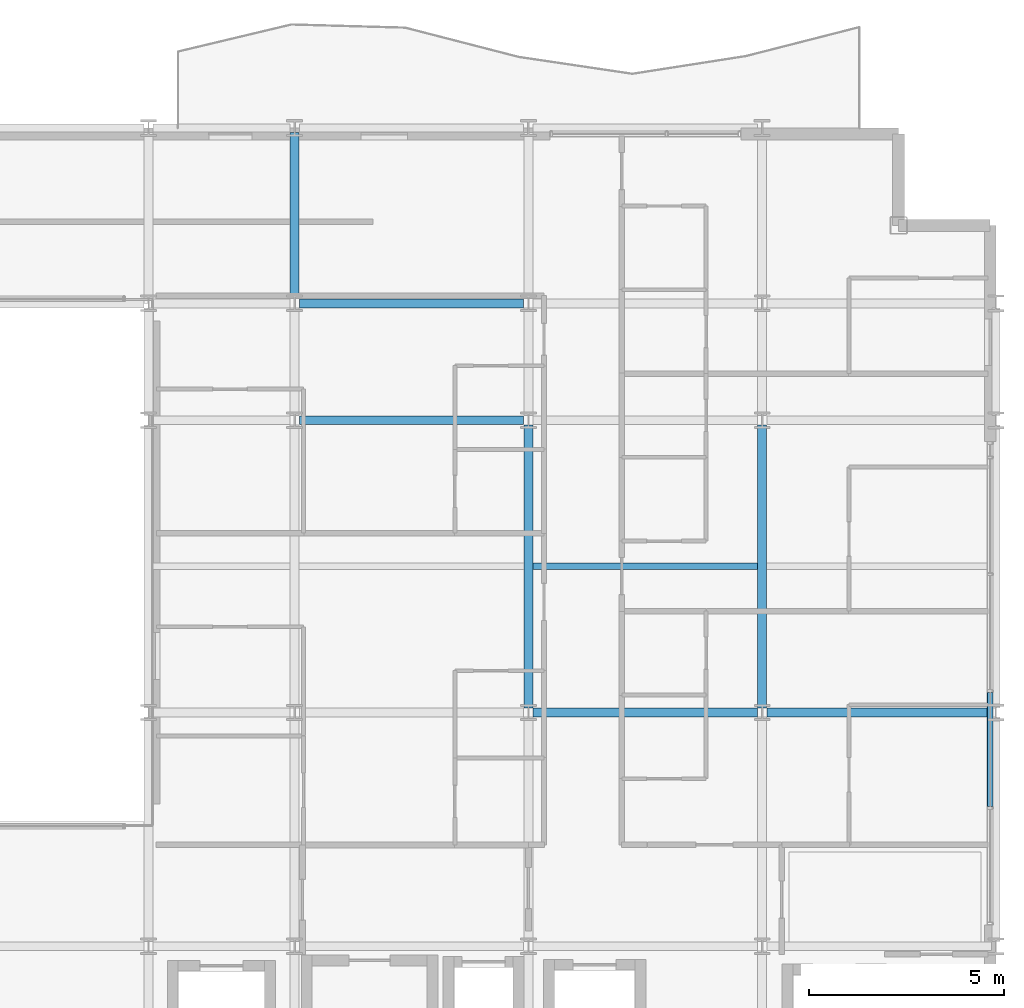
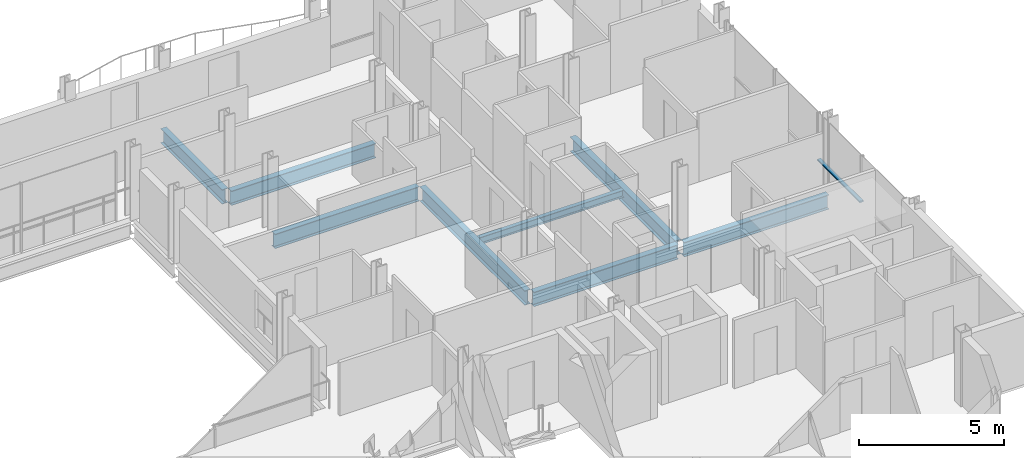
# One storey, part 18 of 40: 8 beams, 1 member, 1 element without a shape of its own.
"""IFC4 building model written with IfcOpenShell, lengths in metres."""

from ifc_helpers import new_model, si_unit, direction, frame, origin, origin_2d, place, context, subcontext, project, spatial, hollow_rectangle, i_section, extrude, material, layer, layer_set, material_profile, profile_set, type_object, element, aggregate, save


model = new_model("IFC4")

# Units and contexts
model_context = context("Model", 3, precision=1e-05, world=origin(), true_north=direction((0.0, 1.0)))
body_context = subcontext(model_context, "Body", "Model", "MODEL_VIEW")
ifc_project = project(units=[si_unit("LENGTHUNIT", "METRE"), si_unit("AREAUNIT", "SQUARE_METRE"), si_unit("VOLUMEUNIT", "CUBIC_METRE"), si_unit("PLANEANGLEUNIT", "RADIAN"), si_unit("MASSUNIT", "GRAM", prefix="KILO")], contexts=[model_context])

# Site, building, storey
site_placement = place(None, origin())
site = spatial("IfcSite", under=ifc_project, at=site_placement, CompositionType="ELEMENT")
building_placement = place(site_placement, origin())
building = spatial("IfcBuilding", under=site, at=building_placement, Name="Brevholm Reach", CompositionType="ELEMENT")
storey_placement = place(building_placement, frame((0.0, 0.0, 119.0)))
storey = spatial("IfcBuildingStorey", under=building, at=storey_placement, Name="L35", CompositionType="ELEMENT", Elevation=119.0)

# Beams
ifc_material_1 = material(Name="Structural Steel S355J2", Category="steel")
ifc_material_profile_1 = material_profile(ifc_material_1, i_section(OverallWidth=0.1650390625, OverallDepth=0.303466796875, WebThickness=0.006103515625, FlangeThickness=0.01025390625, FilletRadius=0.0087890625, at=origin_2d()), Name="UKB 305x165x40")
ifc_profile_set_1 = profile_set([ifc_material_profile_1], Name="Structural Steel S355J2")
beam_type_1 = type_object("IfcBeamType", Name="BM-B305", PredefinedType="BEAM", material=ifc_profile_set_1)
beam_1_placement = place(storey_placement, frame((48.114501953125, 19.75, -0.37158203125), z_axis=(1.0, 0.0, 0.0), x_axis=(0.0, 1.0, 0.0)))
element("IfcBeam", 1, at=beam_1_placement, inside=storey, type_object=beam_type_1, Name="L35 Composite Secondary Floor Beam", PredefinedType="BEAM", context=body_context, shape_type="SweptSolid", body=[
    extrude(i_section(OverallWidth=0.1650390625, OverallDepth=0.303466796875, WebThickness=0.006103515625, FlangeThickness=0.01025390625, FilletRadius=0.0087890625, at=origin_2d()), origin(), (0.0, 0.0, 1.0), 5.77099609375),
])
ifc_material_2 = material(Name="Structural Steel S355J2", Category="steel")
ifc_material_profile_2 = material_profile(ifc_material_2, i_section(OverallWidth=0.22900390625, OverallDepth=0.6123046875, WebThickness=0.011962890625, FlangeThickness=0.01953125, FilletRadius=0.0126953125, at=origin_2d()), Name="UKB 610x229x125")
ifc_profile_set_2 = profile_set([ifc_material_profile_2], Name="Structural Steel S355J2")
beam_type_2 = type_object("IfcBeamType", Name="BM-SP610", PredefinedType="SPANDREL", material=ifc_profile_set_2)
for number, where, z_axis, x_axis, name in (
    (2, (48.1201171875, 16.0, -0.526123046875), (1.0, 0.0, 0.0), (0.0, 1.0, 0.0), "L35 SP-01 Framing Beam"),
    (3, (54.1201171875, 16.0, -0.526123046875), (1.0, 0.0, 0.0), (0.0, 1.0, 0.0), "L35 SP-01 Framing Beam"),
    (4, (42.1201171875, 23.5, -0.526123046875), (1.0, 0.0, 0.0), (0.0, 1.0, 0.0), "L35 SP-01 Framing Beam"),
    (5, (42.1201171875, 26.5, -0.526123046875), (1.0, 0.0, 0.0), (0.0, 1.0, 0.0), "L35 SP-01 Framing Beam"),
):
    element("IfcBeam", number, at=place(storey_placement, frame(where, z_axis=z_axis, x_axis=x_axis)), inside=storey, type_object=beam_type_2, Name=name, PredefinedType="SPANDREL", context=body_context, shape_type="SweptSolid", body=[
        extrude(i_section(OverallWidth=0.22900390625, OverallDepth=0.6123046875, WebThickness=0.011962890625, FlangeThickness=0.01953125, FilletRadius=0.0126953125, at=origin_2d()), origin(), (0.0, 0.0, 1.0), 5.759765625),
    ])
beam_2_placement = place(storey_placement, frame((42.0, 26.6201171875, -0.526123046875), z_axis=(0.0, 1.0, 0.0), x_axis=(-1.0, 0.0, 0.0)))
element("IfcBeam", 6, at=beam_2_placement, inside=storey, type_object=beam_type_2, Name="L35 SP-01 Framing Beam", PredefinedType="SPANDREL", context=body_context, shape_type="SweptSolid", body=[
    extrude(i_section(OverallWidth=0.22900390625, OverallDepth=0.6123046875, WebThickness=0.011962890625, FlangeThickness=0.01953125, FilletRadius=0.0126953125, at=origin_2d()), origin(), (0.0, 0.0, 1.0), 4.259765625),
])
for number, where, z_axis, x_axis, name in (
    (7, (48.0, 16.1201171875, -0.526123046875), (0.0, 1.0, 0.0), (-1.0, 0.0, 0.0), "L35 SP-01 Framing Beam"),
    (8, (54.0, 16.1201171875, -0.526123046875), (0.0, 1.0, 0.0), (-1.0, 0.0, 0.0), "L35 SP-01 Framing Beam"),
):
    element("IfcBeam", number, at=place(storey_placement, frame(where, z_axis=z_axis, x_axis=x_axis)), inside=storey, type_object=beam_type_2, Name=name, PredefinedType="SPANDREL", context=body_context, shape_type="SweptSolid", body=[
        extrude(i_section(OverallWidth=0.22900390625, OverallDepth=0.6123046875, WebThickness=0.011962890625, FlangeThickness=0.01953125, FilletRadius=0.0126953125, at=origin_2d()), origin(), (0.0, 0.0, 1.0), 7.259765625),
    ])

# Curtain wall, member
ifc_material_3 = material(Name="Dark Anodised Aluminium 6063-T6 and Solar-Control Glass", Category="aluminium")
ifc_layer = layer(ifc_material_3, 0.14990234375)
ifc_layer_set = layer_set([ifc_layer], Name="Dark Anodised Aluminium 6063-T6 and Solar-Control Glass")
curtain_wall_type = type_object("IfcCurtainWallType", Name="CW-01", PredefinedType="NOTDEFINED", material=ifc_layer_set)
curtain_wall_placement = place(storey_placement, origin())
curtain_wall = element("IfcCurtainWall", 9, at=curtain_wall_placement, inside=storey, type_object=curtain_wall_type, Name="L35 Curtain Wall CW-01", PredefinedType="NOTDEFINED")
ifc_material_4 = material(Name="Dark Anodised Aluminium 6063-T6", Category="aluminium")
ifc_material_profile_3 = material_profile(ifc_material_4, hollow_rectangle(XDim=0.06494140625, YDim=0.14990234375, WallThickness=0.0048828125, InnerFilletRadius=0.0048828125, OuterFilletRadius=0.010009765625, at=origin_2d()), Name="RHS 150x65x5")
ifc_profile_set_3 = profile_set([ifc_material_profile_3], Name="Dark Anodised Aluminium 6063-T6")
member_type = type_object("IfcMemberType", Name="CWT-150", PredefinedType="NOTDEFINED", material=ifc_profile_set_3)
member_placement = place(storey_placement, frame((59.85009765625, 13.58251953125, 0.89990234375), z_axis=(0.0, 1.0, 0.0), x_axis=(0.0, 0.0, 1.0)))
member = element("IfcMember", 10, at=member_placement, type_object=member_type, Name="CT-150 Transom 2.1", ObjectType="TRANSOM", PredefinedType="USERDEFINED", context=body_context, shape_type="SweptSolid", body=[
    extrude(hollow_rectangle(XDim=0.06494140625, YDim=0.14990234375, WallThickness=0.0048828125, InnerFilletRadius=0.0048828125, OuterFilletRadius=0.010009765625, at=origin_2d()), origin(), (0.0, 0.0, 1.0), 2.93505859375),
])
aggregate(curtain_wall, [member])

save(model, "model.ifc")
